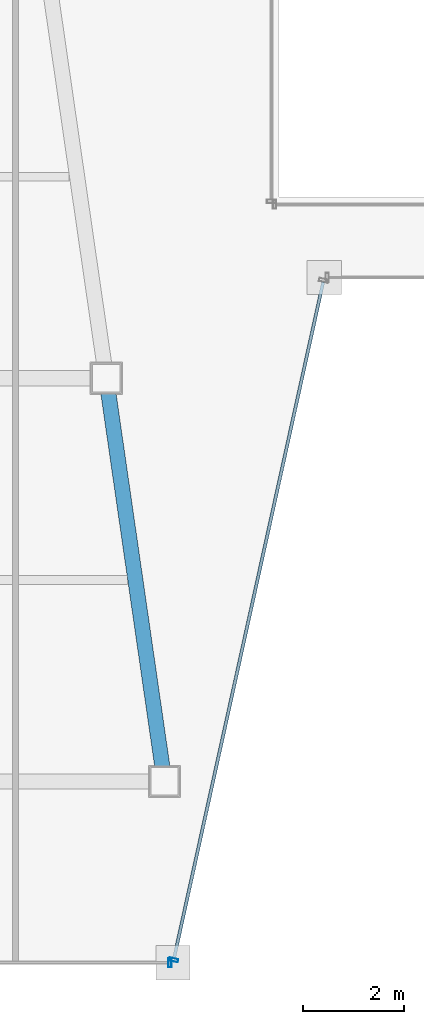
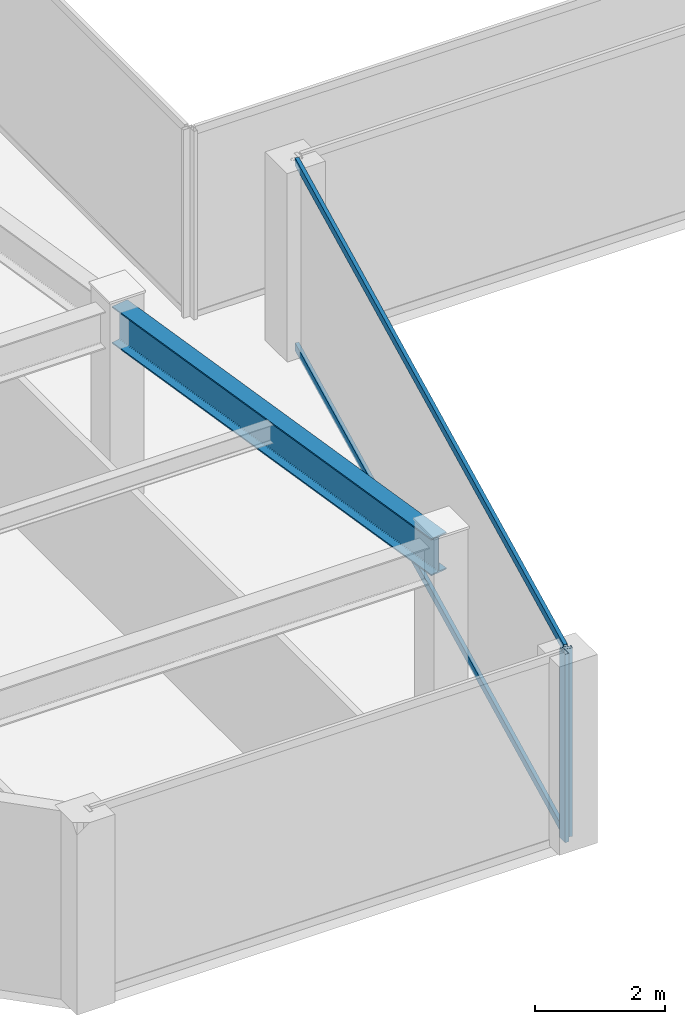
# One storey, part 5 of 35: 4 members, 1 beam, 2 elements without a shape of their own.
"""IFC4 building model written with IfcOpenShell, lengths in metres."""

from ifc_helpers import new_model, si_unit, direction, frame, origin, origin_2d, place, context, subcontext, project, spatial, hollow_rectangle, i_section, extrude, material, material_profile, profile_set, type_object, element, aggregate, save


model = new_model("IFC4")

# Units and contexts
model_context = context("Model", 3, precision=1e-05, world=origin(), true_north=direction((0.0, 1.0)))
body_context = subcontext(model_context, "Body", "Model", "MODEL_VIEW")
ifc_project = project(units=[si_unit("LENGTHUNIT", "METRE"), si_unit("AREAUNIT", "SQUARE_METRE"), si_unit("VOLUMEUNIT", "CUBIC_METRE"), si_unit("PLANEANGLEUNIT", "RADIAN"), si_unit("MASSUNIT", "GRAM", prefix="KILO")], contexts=[model_context])

# Site, building, storey
site_placement = place(None, origin())
site = spatial("IfcSite", under=ifc_project, at=site_placement, CompositionType="ELEMENT")
building_placement = place(site_placement, origin())
building = spatial("IfcBuilding", under=site, at=building_placement, Name="Saevonmaru Cultural Tower", CompositionType="ELEMENT")
storey_placement = place(building_placement, frame((0.0, 0.0, 179.0)))
storey = spatial("IfcBuildingStorey", under=building, at=storey_placement, Name="L40", CompositionType="ELEMENT", Elevation=179.0)

# Beam
ifc_material_1 = material(Name="Steel SM355", Category="steel")
ifc_material_profile_1 = material_profile(ifc_material_1, i_section(OverallWidth=0.300048828125, OverallDepth=0.699951171875, WebThickness=0.012939453125, FlangeThickness=0.02392578125, FilletRadius=0.02587890625, at=origin_2d()), Name="H-700x300x13x24")
ifc_profile_set_1 = profile_set([ifc_material_profile_1], Name="Steel SM355")
beam_type = type_object("IfcBeamType", Name="BM-G-H700", PredefinedType="BEAM", material=ifc_profile_set_1)
beam_placement = place(storey_placement, frame((21.91943359375, 16.059326171875, 3.199951171875), z_axis=(-0.143022161059, 0.989719486241, 0.0), x_axis=(-0.989719486241, -0.143022161059, 0.0)))
element("IfcBeam", 1, at=beam_placement, inside=storey, type_object=beam_type, Name="L40 West Atrium Girder 1", PredefinedType="BEAM", context=body_context, shape_type="SweptSolid", body=[
    extrude(i_section(OverallWidth=0.300048828125, OverallDepth=0.699951171875, WebThickness=0.012939453125, FlangeThickness=0.02392578125, FilletRadius=0.02587890625, at=origin_2d()), origin(), (0.0, 0.0, 1.0), 7.963134765625),
])

# Curtain wall, member
ifc_material_2 = material(Name="Satin Bronze Anodised Aluminium", Category="aluminium")
curtain_wall_type = type_object("IfcCurtainWallType", Name="CW-TYP-B", PredefinedType="NOTDEFINED", material=ifc_material_2)
curtain_wall_1_placement = place(storey_placement, origin())
curtain_wall_1 = element("IfcCurtainWall", 2, at=curtain_wall_1_placement, inside=storey, type_object=curtain_wall_type, Name="L40 Unitised Curtain Wall E2", PredefinedType="NOTDEFINED")
ifc_material_profile_2 = material_profile(ifc_material_2, hollow_rectangle(XDim=0.06494140625, YDim=0.179931640625, WallThickness=0.00390625, at=origin_2d()), Name="ALU-MULL-180x65x4")
ifc_profile_set_2 = profile_set([ifc_material_profile_2], Name="Satin Bronze Anodised Aluminium")
member_type_1 = type_object("IfcMemberType", Name="ML-CW-180x65", PredefinedType="MULLION", material=ifc_profile_set_2)
member_1_placement = place(storey_placement, frame((22.037841796875, 12.39990234375, 0.0), z_axis=(0.0, 0.0, 1.0), x_axis=(1.0, 0.0, 0.0)))
member_1 = element("IfcMember", 3, at=member_1_placement, type_object=member_type_1, Name="CW-TW-L40-E2 mullion 2", PredefinedType="MULLION", context=body_context, shape_type="SweptSolid", body=[
    extrude(hollow_rectangle(XDim=0.06494140625, YDim=0.179931640625, WallThickness=0.00390625, at=origin_2d()), origin(), (0.0, 0.0, 1.0), 3.550048828125),
])
aggregate(curtain_wall_1, [member_1])

# Curtain wall, members
curtain_wall_2_placement = place(storey_placement, origin())
curtain_wall_2 = element("IfcCurtainWall", 4, at=curtain_wall_2_placement, inside=storey, type_object=curtain_wall_type, Name="L40 Unitised Curtain Wall E3", PredefinedType="NOTDEFINED")
member_2_placement = place(storey_placement, frame((22.110595703125, 12.45849609375, 0.0), z_axis=(0.0, 0.0, 1.0), x_axis=(0.215413319953, 0.976522965212, 0.0)))
member_2 = element("IfcMember", 5, at=member_2_placement, type_object=member_type_1, Name="CW-TW-L40-E3 mullion 1", PredefinedType="MULLION", context=body_context, shape_type="SweptSolid", body=[
    extrude(hollow_rectangle(XDim=0.06494140625, YDim=0.179931640625, WallThickness=0.00390625, at=origin_2d()), origin(), (0.0, 0.0, 1.0), 3.550048828125),
])
ifc_material_profile_3 = material_profile(ifc_material_2, hollow_rectangle(XDim=0.06494140625, YDim=0.14990234375, WallThickness=0.00390625, at=origin_2d()), Name="ALU-TRAN-150x65x4")
ifc_profile_set_3 = profile_set([ifc_material_profile_3], Name="Satin Bronze Anodised Aluminium")
member_type_2 = type_object("IfcMemberType", Name="TR-CW-150x65", PredefinedType="USERDEFINED", material=ifc_profile_set_3)
member_3_placement = place(storey_placement, frame((22.11767578125, 12.490234375, 0.032470703125), z_axis=(0.21541214732, 0.976523223885, 0.0), x_axis=(-0.976523223885, 0.21541214732, 0.0)))
member_3 = element("IfcMember", 6, at=member_3_placement, type_object=member_type_2, Name="CW-TW-L40-E3 transom 1.1", ObjectType="TRANSOM", PredefinedType="USERDEFINED", context=body_context, shape_type="SweptSolid", body=[
    extrude(hollow_rectangle(XDim=0.06494140625, YDim=0.14990234375, WallThickness=0.00390625, at=origin_2d()), origin(), (0.0, 0.0, 1.0), 13.741943359375),
])
member_4_placement = place(storey_placement, frame((22.11767578125, 12.490234375, 3.517578125), z_axis=(0.21541214732, 0.976523223885, 0.0), x_axis=(-0.976523223885, 0.21541214732, 0.0)))
member_4 = element("IfcMember", 7, at=member_4_placement, type_object=member_type_2, Name="CW-TW-L40-E3 transom 1.2", ObjectType="TRANSOM", PredefinedType="USERDEFINED", context=body_context, shape_type="SweptSolid", body=[
    extrude(hollow_rectangle(XDim=0.06494140625, YDim=0.14990234375, WallThickness=0.00390625, at=origin_2d()), origin(), (0.0, 0.0, 1.0), 13.741943359375),
])
aggregate(curtain_wall_2, [member_2, member_3, member_4])

save(model, "model.ifc")
